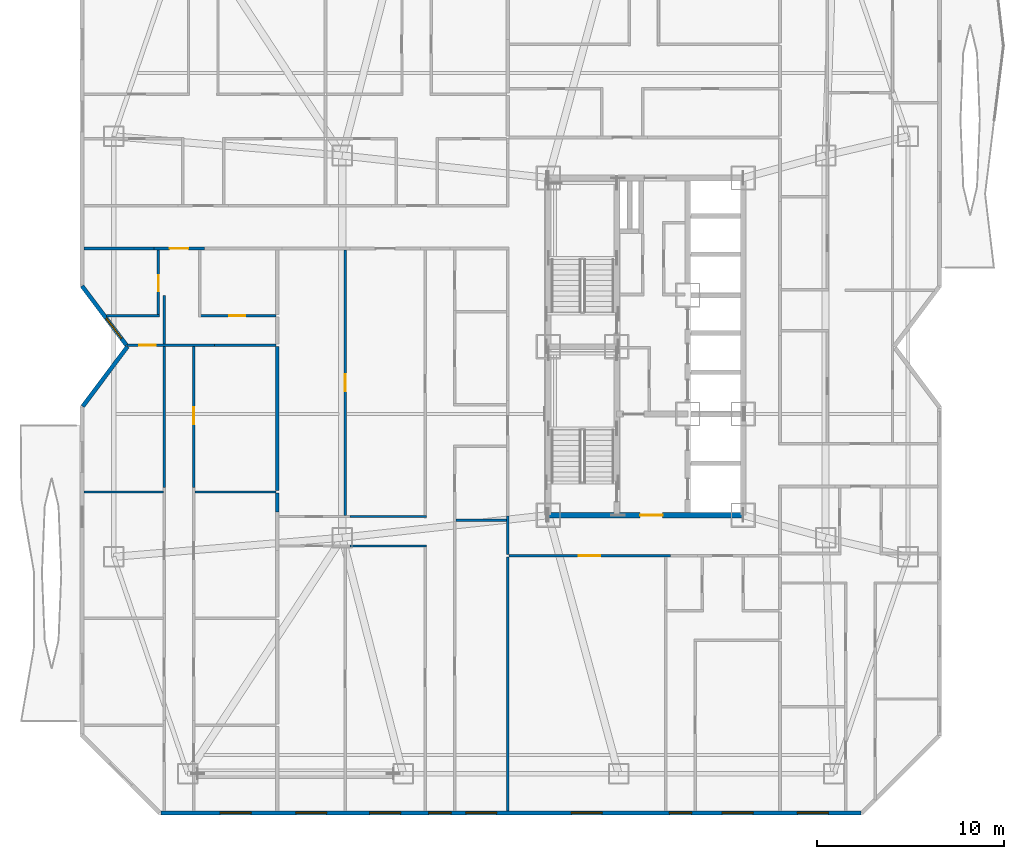
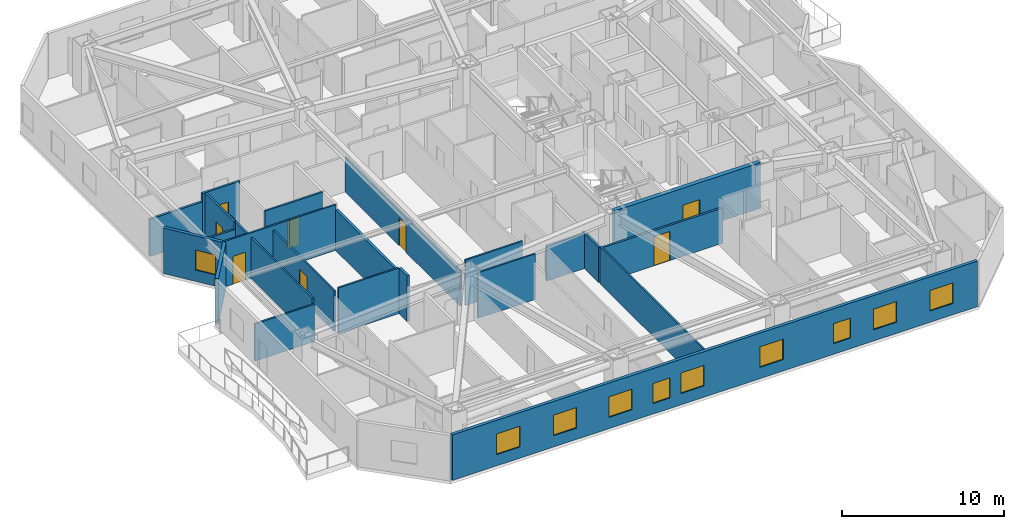
# One storey, part 8 of 16: 24 walls, 10 windows, 8 doors, 18 openings.
"""IFC4 building model written with IfcOpenShell, lengths in metres."""

from ifc_helpers import new_model, si_unit, direction, frame, frame_2d, origin, place, context, subcontext, project, spatial, rectangle, extrude, material, layer, layer_set, type_object, element, fill, save


model = new_model("IFC4")

# Units and contexts
model_context = context("Model", 3, precision=1e-05, world=origin(), true_north=direction((0.0, 1.0)))
body_context = subcontext(model_context, "Body", "Model", "MODEL_VIEW")
ifc_project = project(units=[si_unit("LENGTHUNIT", "METRE"), si_unit("AREAUNIT", "SQUARE_METRE"), si_unit("VOLUMEUNIT", "CUBIC_METRE"), si_unit("PLANEANGLEUNIT", "RADIAN"), si_unit("MASSUNIT", "GRAM", prefix="KILO")], contexts=[model_context])

# Site, building, storey
site_placement = place(None, origin())
site = spatial("IfcSite", under=ifc_project, at=site_placement, CompositionType="ELEMENT")
building_placement = place(site_placement, origin())
building = spatial("IfcBuilding", under=site, at=building_placement, Name="Khamvora Tower", CompositionType="ELEMENT")
storey_placement = place(building_placement, frame((0.0, 0.0, 66.14990234375)))
storey = spatial("IfcBuildingStorey", under=building, at=storey_placement, Name="L16", CompositionType="ELEMENT", Elevation=66.14990234375)

# Wall, opening, door
ifc_material_1 = material(Name="Concrete C50/60", Category="concrete")
ifc_layer_1 = layer(ifc_material_1, 0.300048828125)
ifc_layer_set_1 = layer_set([ifc_layer_1], Name="Concrete C50/60")
wall_type_1 = type_object("IfcWallType", Name="WAL-CORE-300", PredefinedType="SHEAR", material=ifc_layer_set_1)
wall_1_placement = place(storey_placement, frame((29.0, 19.0, 0.0), z_axis=(0.0, 0.0, 1.0), x_axis=(1.0, 0.0, 0.0)))
wall_1 = element("IfcWall", 1, at=wall_1_placement, inside=storey, type_object=wall_type_1, Name="L16 central core south wall", PredefinedType="SHEAR", context=body_context, shape_type="SweptSolid", body=[
    extrude(rectangle(XDim=10.39990234375, YDim=0.300048828125, at=frame_2d((5.199951171875, 0.0))), origin(), (0.0, 0.0, 1.0), 3.43017578125),
])
opening_1_placement = place(wall_1_placement, frame((4.89990234375, 0.0, 0.0)))
opening_1 = element("IfcOpeningElement", 2, at=opening_1_placement, cuts=wall_1, Name="Opening D-CR1", PredefinedType="OPENING", context=body_context, shape_type="SweptSolid", body=[
    extrude(rectangle(XDim=1.199951171875, YDim=2.14990234375, at=frame_2d((0.60009765625, 1.074951171875))), frame((0.0, 0.159912109375, 0.0), z_axis=(0.0, -1.0, 0.0), x_axis=(1.0, 0.0, 0.0)), (0.0, 0.0, 1.0), 0.320068359375),
])
ifc_material_2 = material(Name="Powder-Coated Steel and Hardwood Leaf", Category="steel")
door_type_1 = type_object("IfcDoorType", Name="DOR-CORR-1200", OperationType="NOTDEFINED", PredefinedType="DOOR", material=ifc_material_2)
door_1_placement = place(opening_1_placement, origin())
door_1 = element("IfcDoor", 3, at=door_1_placement, inside=storey, type_object=door_type_1, Name="L16 south core lobby to corridor fire door", OperationType="SINGLE_SWING_RIGHT", OverallHeight=2.14990234375, OverallWidth=1.199951171875, PredefinedType="DOOR", context=body_context, shape_type="SweptSolid", body=[
    extrude(rectangle(XDim=1.199951171875, YDim=2.14990234375, at=frame_2d((0.60009765625, 1.074951171875))), frame((0.0, 0.02490234375, 0.0), z_axis=(0.0, -1.0, 0.0), x_axis=(1.0, 0.0, 0.0)), (0.0, 0.0, 1.0), 0.050048828125),
])
fill(opening_1, door_1)

ifc_material_3 = material(Name="Fire-Rated Drywall and Steel Stud", Category="steel")
ifc_layer_2 = layer(ifc_material_3, 0.14990234375)
ifc_layer_set_2 = layer_set([ifc_layer_2], Name="Fire-Rated Drywall and Steel Stud")
wall_type_2 = type_object("IfcWallType", Name="WAL-CORR-150", PredefinedType="STANDARD", material=ifc_layer_set_2)
wall_2_placement = place(storey_placement, frame((35.513916015625, 16.8349609375, 0.0), z_axis=(0.0, 0.0, 1.0), x_axis=(-1.0, 0.0, 0.0)))
wall_2 = element("IfcWall", 4, at=wall_2_placement, inside=storey, type_object=wall_type_2, Name="L16 interior partition wall 008", PredefinedType="STANDARD", context=body_context, shape_type="SweptSolid", body=[
    extrude(rectangle(XDim=8.614013671875, YDim=0.14990234375, at=frame_2d((4.30712890625, 0.0))), origin(), (0.0, 0.0, 1.0), 2.647216796875),
])
opening_2_placement = place(wall_2_placement, frame((3.7529296875, 0.0, 0.0)))
opening_2 = element("IfcOpeningElement", 5, at=opening_2_placement, cuts=wall_2, Name="Opening D-SC1", PredefinedType="OPENING", context=body_context, shape_type="SweptSolid", body=[
    extrude(rectangle(XDim=1.14990234375, YDim=2.199951171875, at=frame_2d((0.574951171875, 1.10009765625))), frame((0.0, 0.0849609375, 0.0), z_axis=(0.0, -1.0, 0.0), x_axis=(1.0, 0.0, 0.0)), (0.0, 0.0, 1.0), 0.169921875),
])
door_type_2 = type_object("IfcDoorType", Name="DOR-SCHL-1150", OperationType="NOTDEFINED", PredefinedType="DOOR", material=ifc_material_2)
door_2_placement = place(opening_2_placement, origin())
door_2 = element("IfcDoor", 6, at=door_2_placement, inside=storey, type_object=door_type_2, Name="L16 interior door COR-RCOW", OperationType="SINGLE_SWING_LEFT", OverallHeight=2.199951171875, OverallWidth=1.14990234375, PredefinedType="DOOR", context=body_context, shape_type="SweptSolid", body=[
    extrude(rectangle(XDim=1.14990234375, YDim=2.199951171875, at=frame_2d((0.574951171875, 1.10009765625))), frame((0.0, 0.02490234375, 0.0), z_axis=(0.0, -1.0, 0.0), x_axis=(1.0, 0.0, 0.0)), (0.0, 0.0, 1.0), 0.050048828125),
])
fill(opening_2, door_2)

wall_3_placement = place(storey_placement, frame((10.637939453125, 33.235107421875, 0.0), z_axis=(0.0, 0.0, 1.0), x_axis=(-1.0, 0.0, 0.0)))
wall_3 = element("IfcWall", 7, at=wall_3_placement, inside=storey, type_object=wall_type_2, Name="L16 interior partition wall 009", PredefinedType="STANDARD", context=body_context, shape_type="SweptSolid", body=[
    extrude(rectangle(XDim=2.697998046875, YDim=0.14990234375, at=frame_2d((1.34912109375, 0.0))), origin(), (0.0, 0.0, 1.0), 3.43017578125),
])
opening_3_placement = place(wall_3_placement, frame((0.84912109375, 0.0, 0.0)))
opening_3 = element("IfcOpeningElement", 8, at=opening_3_placement, cuts=wall_3, Name="Opening D-U1", PredefinedType="OPENING", context=body_context, shape_type="SweptSolid", body=[
    extrude(rectangle(XDim=1.0, YDim=2.14990234375, at=frame_2d((0.5, 1.074951171875))), frame((0.0, 0.0849609375, 0.0), z_axis=(0.0, -1.0, 0.0), x_axis=(1.0, 0.0, 0.0)), (0.0, 0.0, 1.0), 0.169921875),
])
door_type_3 = type_object("IfcDoorType", Name="DOR-UNIT-1000", OperationType="NOTDEFINED", PredefinedType="DOOR", material=ifc_material_2)
door_3_placement = place(opening_3_placement, origin())
door_3 = element("IfcDoor", 9, at=door_3_placement, inside=storey, type_object=door_type_3, Name="L16 interior door COR-16WA1H", OperationType="SINGLE_SWING_RIGHT", OverallHeight=2.14990234375, OverallWidth=1.0, PredefinedType="DOOR", context=body_context, shape_type="SweptSolid", body=[
    extrude(rectangle(XDim=1.0, YDim=2.14990234375, at=frame_2d((0.5, 1.074951171875))), frame((0.0, 0.02490234375, 0.0), z_axis=(0.0, -1.0, 0.0), x_axis=(1.0, 0.0, 0.0)), (0.0, 0.0, 1.0), 0.050048828125),
])
fill(opening_3, door_3)

# Walls
wall_4_placement = place(storey_placement, frame((7.93994140625, 33.235107421875, 0.0), z_axis=(0.0, 0.0, 1.0), x_axis=(-1.0, 0.0, 0.0)))
element("IfcWall", 10, at=wall_4_placement, inside=storey, type_object=wall_type_2, Name="L16 interior partition wall 010", PredefinedType="STANDARD", context=body_context, shape_type="SweptSolid", body=[
    extrude(rectangle(XDim=3.72802734375, YDim=0.14990234375, at=frame_2d((1.864013671875, 0.0))), origin(), (0.0, 0.0, 1.0), 2.802978515625),
])
wall_5_placement = place(storey_placement, frame((26.8349609375, 16.89990234375, 0.0), z_axis=(0.0, 0.0, 1.0), x_axis=(0.0, 1.0, 0.0)))
element("IfcWall", 11, at=wall_5_placement, inside=storey, type_object=wall_type_2, Name="L16 interior partition wall 012", PredefinedType="STANDARD", context=body_context, shape_type="SweptSolid", body=[
    extrude(rectangle(XDim=2.068115234375, YDim=0.14990234375, at=frame_2d((1.0341796875, 0.0))), origin(), (0.0, 0.0, 1.0), 2.647216796875),
])
ifc_material_4 = material(Name="Acoustic Double-Stud Fire Wall", Category="gypsum")
ifc_layer_3 = layer(ifc_material_4, 0.179931640625)
ifc_layer_set_3 = layer_set([ifc_layer_3], Name="Acoustic Double-Stud Fire Wall")
wall_type_3 = type_object("IfcWallType", Name="WAL-CORR-180", PredefinedType="STANDARD", material=ifc_layer_set_3)
wall_6_placement = place(storey_placement, frame((14.533935546875, 20.175048828125, 0.0), z_axis=(0.0, 0.0, 1.0), x_axis=(0.0, -1.0, 0.0)))
element("IfcWall", 12, at=wall_6_placement, inside=storey, type_object=wall_type_3, Name="L16 interior partition wall 076", PredefinedType="STANDARD", context=body_context, shape_type="SweptSolid", body=[
    extrude(rectangle(XDim=1.0009765625, YDim=0.179931640625, at=frame_2d((0.50048828125, 0.0))), origin(), (0.0, 0.0, 1.0), 3.43017578125),
])
wall_7_placement = place(storey_placement, frame((14.533935546875, 28.010009765625, 0.0), z_axis=(0.0, 0.0, 1.0), x_axis=(0.0, -1.0, 0.0)))
element("IfcWall", 13, at=wall_7_placement, inside=storey, type_object=wall_type_3, Name="L16 interior partition wall 077", PredefinedType="STANDARD", context=body_context, shape_type="SweptSolid", body=[
    extrude(rectangle(XDim=7.705078125, YDim=0.179931640625, at=frame_2d((3.8525390625, 0.0))), origin(), (0.0, 0.0, 1.0), 3.065185546875),
])
ifc_material_5 = material(Name="Precast concrete C40/50", Category="concrete")
ifc_layer_4 = layer(ifc_material_5, 0.219970703125)
ifc_layer_set_4 = layer_set([ifc_layer_4], Name="Precast concrete C40/50")
wall_type_4 = type_object("IfcWallType", Name="WAL-EXT-220", PredefinedType="STANDARD", material=ifc_layer_set_4)
wall_8_placement = place(storey_placement, frame((4.14501953125, 24.80908203125, 0.0), z_axis=(0.0, 0.0, 1.0), x_axis=(0.599823674734, 0.800132213592, 0.0)))
element("IfcWall", 14, at=wall_8_placement, inside=storey, type_object=wall_type_4, Name="L16 exterior facade wall 03.1", PredefinedType="STANDARD", context=body_context, shape_type="SweptSolid", body=[
    extrude(rectangle(XDim=3.988037109375, YDim=0.219970703125, at=frame_2d((1.994140625, 0.0))), origin(), (0.0, 0.0, 1.0), 3.43017578125),
])

# Wall, opening, window
wall_9_placement = place(storey_placement, frame((6.47998046875, 28.076904296875, 0.0), z_axis=(0.0, 0.0, 1.0), x_axis=(-0.599960442794, 0.800029666377, 0.0)))
wall_9 = element("IfcWall", 15, at=wall_9_placement, inside=storey, type_object=wall_type_4, Name="L16 exterior facade wall 04.1", PredefinedType="STANDARD", context=body_context, shape_type="SweptSolid", body=[
    extrude(rectangle(XDim=3.949951171875, YDim=0.219970703125, at=frame_2d((1.97509765625, 0.0))), origin(), (0.0, 0.0, 1.0), 3.43017578125),
])
opening_4_placement = place(wall_9_placement, frame((0.445068359375, 0.0, 0.85009765625)))
opening_4 = element("IfcOpeningElement", 16, at=opening_4_placement, cuts=wall_9, Name="Opening WN-07", PredefinedType="OPENING", context=body_context, shape_type="SweptSolid", body=[
    extrude(rectangle(XDim=1.35009765625, YDim=1.5, at=frame_2d((0.675048828125, 0.75))), frame((0.0, 0.119873046875, 0.0), z_axis=(0.0, -1.0, 0.0), x_axis=(1.0, 0.0, 0.0)), (0.0, 0.0, 1.0), 0.239990234375),
])
ifc_material_6 = material(Name="Low-E Laminated Double Glazing", Category="glass")
window_type_1 = type_object("IfcWindowType", Name="WIN-VIS-1350x1500", PartitioningType="SINGLE_PANEL", PredefinedType="WINDOW", material=ifc_material_6)
window_1_placement = place(opening_4_placement, origin())
window_1 = element("IfcWindow", 17, at=window_1_placement, inside=storey, type_object=window_type_1, Name="L16 vision window 04.1.01", OverallHeight=1.5, OverallWidth=1.35009765625, PartitioningType="SINGLE_PANEL", PredefinedType="WINDOW", context=body_context, shape_type="SweptSolid", body=[
    extrude(rectangle(XDim=1.35009765625, YDim=1.5, at=frame_2d((0.675048828125, 0.75))), frame((0.0, 0.030029296875, 0.0), z_axis=(0.0, -1.0, 0.0), x_axis=(1.0, 0.0, 0.0)), (0.0, 0.0, 1.0), 0.06005859375),
])
fill(opening_4, window_1)

# Wall, openings, windows
wall_10_placement = place(storey_placement, frame((45.68310546875, 3.110107421875, 0.0), z_axis=(0.0, 0.0, 1.0), x_axis=(-1.0, 0.0, 0.0)))
wall_10 = element("IfcWall", 18, at=wall_10_placement, inside=storey, type_object=wall_type_4, Name="L16 exterior facade wall 14.1", PredefinedType="STANDARD", context=body_context, shape_type="SweptSolid", body=[
    extrude(rectangle(XDim=37.3681640625, YDim=0.219970703125, at=frame_2d((18.68408203125, 0.0))), origin(), (0.0, 0.0, 1.0), 3.43017578125),
])
opening_5_placement = place(wall_10_placement, frame((13.80810546875, 0.0, 0.85009765625)))
opening_5 = element("IfcOpeningElement", 19, at=opening_5_placement, cuts=wall_10, Name="Opening WN-06", PredefinedType="OPENING", context=body_context, shape_type="SweptSolid", body=[
    extrude(rectangle(XDim=1.64990234375, YDim=1.550048828125, at=frame_2d((0.824951171875, 0.77490234375))), frame((0.0, 0.119873046875, 0.0), z_axis=(0.0, -1.0, 0.0), x_axis=(1.0, 0.0, 0.0)), (0.0, 0.0, 1.0), 0.239990234375),
])
opening_6_placement = place(wall_10_placement, frame((32.553955078125, 0.0, 0.85009765625)))
opening_6 = element("IfcOpeningElement", 20, at=opening_6_placement, cuts=wall_10, Name="Opening WN-06", PredefinedType="OPENING", context=body_context, shape_type="SweptSolid", body=[
    extrude(rectangle(XDim=1.64990234375, YDim=1.550048828125, at=frame_2d((0.824951171875, 0.77490234375))), frame((0.0, 0.119873046875, 0.0), z_axis=(0.0, -1.0, 0.0), x_axis=(1.0, 0.0, 0.0)), (0.0, 0.0, 1.0), 0.239990234375),
])
opening_7_placement = place(wall_10_placement, frame((19.43798828125, 0.0, 0.85009765625)))
opening_7 = element("IfcOpeningElement", 21, at=opening_7_placement, cuts=wall_10, Name="Opening WN-06", PredefinedType="OPENING", context=body_context, shape_type="SweptSolid", body=[
    extrude(rectangle(XDim=1.64990234375, YDim=1.550048828125, at=frame_2d((0.824951171875, 0.77490234375))), frame((0.0, 0.119873046875, 0.0), z_axis=(0.0, -1.0, 0.0), x_axis=(1.0, 0.0, 0.0)), (0.0, 0.0, 1.0), 0.239990234375),
])
opening_8_placement = place(wall_10_placement, frame((21.868896484375, 0.0, 0.800048828125)))
opening_8 = element("IfcOpeningElement", 22, at=opening_8_placement, cuts=wall_10, Name="Opening WN-03", PredefinedType="OPENING", context=body_context, shape_type="SweptSolid", body=[
    extrude(rectangle(XDim=1.199951171875, YDim=1.5, at=frame_2d((0.60009765625, 0.75))), frame((0.0, 0.119873046875, 0.0), z_axis=(0.0, -1.0, 0.0), x_axis=(1.0, 0.0, 0.0)), (0.0, 0.0, 1.0), 0.239990234375),
])
opening_9_placement = place(wall_10_placement, frame((28.511962890625, 0.0, 0.85009765625)))
opening_9 = element("IfcOpeningElement", 23, at=opening_9_placement, cuts=wall_10, Name="Opening WN-06", PredefinedType="OPENING", context=body_context, shape_type="SweptSolid", body=[
    extrude(rectangle(XDim=1.64990234375, YDim=1.550048828125, at=frame_2d((0.824951171875, 0.77490234375))), frame((0.0, 0.119873046875, 0.0), z_axis=(0.0, -1.0, 0.0), x_axis=(1.0, 0.0, 0.0)), (0.0, 0.0, 1.0), 0.239990234375),
])
opening_10_placement = place(wall_10_placement, frame((24.56689453125, 0.0, 0.85009765625)))
opening_10 = element("IfcOpeningElement", 24, at=opening_10_placement, cuts=wall_10, Name="Opening WN-06", PredefinedType="OPENING", context=body_context, shape_type="SweptSolid", body=[
    extrude(rectangle(XDim=1.64990234375, YDim=1.550048828125, at=frame_2d((0.824951171875, 0.77490234375))), frame((0.0, 0.119873046875, 0.0), z_axis=(0.0, -1.0, 0.0), x_axis=(1.0, 0.0, 0.0)), (0.0, 0.0, 1.0), 0.239990234375),
])
opening_11_placement = place(wall_10_placement, frame((9.028076171875, 0.0, 0.800048828125)))
opening_11 = element("IfcOpeningElement", 25, at=opening_11_placement, cuts=wall_10, Name="Opening WN-03", PredefinedType="OPENING", context=body_context, shape_type="SweptSolid", body=[
    extrude(rectangle(XDim=1.199951171875, YDim=1.5, at=frame_2d((0.60009765625, 0.75))), frame((0.0, 0.119873046875, 0.0), z_axis=(0.0, -1.0, 0.0), x_axis=(1.0, 0.0, 0.0)), (0.0, 0.0, 1.0), 0.239990234375),
])
opening_12_placement = place(wall_10_placement, frame((5.7529296875, 0.0, 0.85009765625)))
opening_12 = element("IfcOpeningElement", 26, at=opening_12_placement, cuts=wall_10, Name="Opening WN-06", PredefinedType="OPENING", context=body_context, shape_type="SweptSolid", body=[
    extrude(rectangle(XDim=1.64990234375, YDim=1.550048828125, at=frame_2d((0.824951171875, 0.77490234375))), frame((0.0, 0.119873046875, 0.0), z_axis=(0.0, -1.0, 0.0), x_axis=(1.0, 0.0, 0.0)), (0.0, 0.0, 1.0), 0.239990234375),
])
opening_13_placement = place(wall_10_placement, frame((1.738037109375, 0.0, 0.85009765625)))
opening_13 = element("IfcOpeningElement", 27, at=opening_13_placement, cuts=wall_10, Name="Opening WN-06", PredefinedType="OPENING", context=body_context, shape_type="SweptSolid", body=[
    extrude(rectangle(XDim=1.64990234375, YDim=1.550048828125, at=frame_2d((0.824951171875, 0.77490234375))), frame((0.0, 0.119873046875, 0.0), z_axis=(0.0, -1.0, 0.0), x_axis=(1.0, 0.0, 0.0)), (0.0, 0.0, 1.0), 0.239990234375),
])
window_type_2 = type_object("IfcWindowType", Name="WIN-VIS-1200x1500", PartitioningType="SINGLE_PANEL", PredefinedType="WINDOW", material=ifc_material_6)
window_2_placement = place(opening_8_placement, origin())
window_2 = element("IfcWindow", 28, at=window_2_placement, inside=storey, type_object=window_type_2, Name="L16 vision window 14.1.04", OverallHeight=1.5, OverallWidth=1.199951171875, PartitioningType="SINGLE_PANEL", PredefinedType="WINDOW", context=body_context, shape_type="SweptSolid", body=[
    extrude(rectangle(XDim=1.199951171875, YDim=1.5, at=frame_2d((0.60009765625, 0.75))), frame((0.0, 0.030029296875, 0.0), z_axis=(0.0, -1.0, 0.0), x_axis=(1.0, 0.0, 0.0)), (0.0, 0.0, 1.0), 0.06005859375),
])
fill(opening_8, window_2)
window_3_placement = place(opening_11_placement, origin())
window_3 = element("IfcWindow", 29, at=window_3_placement, inside=storey, type_object=window_type_2, Name="L16 vision window 14.1.07", OverallHeight=1.5, OverallWidth=1.199951171875, PartitioningType="SINGLE_PANEL", PredefinedType="WINDOW", context=body_context, shape_type="SweptSolid", body=[
    extrude(rectangle(XDim=1.199951171875, YDim=1.5, at=frame_2d((0.60009765625, 0.75))), frame((0.0, 0.030029296875, 0.0), z_axis=(0.0, -1.0, 0.0), x_axis=(1.0, 0.0, 0.0)), (0.0, 0.0, 1.0), 0.06005859375),
])
fill(opening_11, window_3)
window_type_3 = type_object("IfcWindowType", Name="WIN-VIS-1650x1550", PartitioningType="SINGLE_PANEL", PredefinedType="WINDOW", material=ifc_material_6)
window_4_placement = place(opening_5_placement, origin())
window_4 = element("IfcWindow", 30, at=window_4_placement, inside=storey, type_object=window_type_3, Name="L16 vision window 14.1.01", OverallHeight=1.550048828125, OverallWidth=1.64990234375, PartitioningType="SINGLE_PANEL", PredefinedType="WINDOW", context=body_context, shape_type="SweptSolid", body=[
    extrude(rectangle(XDim=1.64990234375, YDim=1.550048828125, at=frame_2d((0.824951171875, 0.77490234375))), frame((0.0, 0.030029296875, 0.0), z_axis=(0.0, -1.0, 0.0), x_axis=(1.0, 0.0, 0.0)), (0.0, 0.0, 1.0), 0.06005859375),
])
fill(opening_5, window_4)
window_5_placement = place(opening_6_placement, origin())
window_5 = element("IfcWindow", 31, at=window_5_placement, inside=storey, type_object=window_type_3, Name="L16 vision window 14.1.02", OverallHeight=1.550048828125, OverallWidth=1.64990234375, PartitioningType="SINGLE_PANEL", PredefinedType="WINDOW", context=body_context, shape_type="SweptSolid", body=[
    extrude(rectangle(XDim=1.64990234375, YDim=1.550048828125, at=frame_2d((0.824951171875, 0.77490234375))), frame((0.0, 0.030029296875, 0.0), z_axis=(0.0, -1.0, 0.0), x_axis=(1.0, 0.0, 0.0)), (0.0, 0.0, 1.0), 0.06005859375),
])
fill(opening_6, window_5)
window_6_placement = place(opening_7_placement, origin())
window_6 = element("IfcWindow", 32, at=window_6_placement, inside=storey, type_object=window_type_3, Name="L16 vision window 14.1.03", OverallHeight=1.550048828125, OverallWidth=1.64990234375, PartitioningType="SINGLE_PANEL", PredefinedType="WINDOW", context=body_context, shape_type="SweptSolid", body=[
    extrude(rectangle(XDim=1.64990234375, YDim=1.550048828125, at=frame_2d((0.824951171875, 0.77490234375))), frame((0.0, 0.030029296875, 0.0), z_axis=(0.0, -1.0, 0.0), x_axis=(1.0, 0.0, 0.0)), (0.0, 0.0, 1.0), 0.06005859375),
])
fill(opening_7, window_6)
window_7_placement = place(opening_9_placement, origin())
window_7 = element("IfcWindow", 33, at=window_7_placement, inside=storey, type_object=window_type_3, Name="L16 vision window 14.1.05", OverallHeight=1.550048828125, OverallWidth=1.64990234375, PartitioningType="SINGLE_PANEL", PredefinedType="WINDOW", context=body_context, shape_type="SweptSolid", body=[
    extrude(rectangle(XDim=1.64990234375, YDim=1.550048828125, at=frame_2d((0.824951171875, 0.77490234375))), frame((0.0, 0.030029296875, 0.0), z_axis=(0.0, -1.0, 0.0), x_axis=(1.0, 0.0, 0.0)), (0.0, 0.0, 1.0), 0.06005859375),
])
fill(opening_9, window_7)
window_8_placement = place(opening_10_placement, origin())
window_8 = element("IfcWindow", 34, at=window_8_placement, inside=storey, type_object=window_type_3, Name="L16 vision window 14.1.06", OverallHeight=1.550048828125, OverallWidth=1.64990234375, PartitioningType="SINGLE_PANEL", PredefinedType="WINDOW", context=body_context, shape_type="SweptSolid", body=[
    extrude(rectangle(XDim=1.64990234375, YDim=1.550048828125, at=frame_2d((0.824951171875, 0.77490234375))), frame((0.0, 0.030029296875, 0.0), z_axis=(0.0, -1.0, 0.0), x_axis=(1.0, 0.0, 0.0)), (0.0, 0.0, 1.0), 0.06005859375),
])
fill(opening_10, window_8)
window_9_placement = place(opening_12_placement, origin())
window_9 = element("IfcWindow", 35, at=window_9_placement, inside=storey, type_object=window_type_3, Name="L16 vision window 14.1.08", OverallHeight=1.550048828125, OverallWidth=1.64990234375, PartitioningType="SINGLE_PANEL", PredefinedType="WINDOW", context=body_context, shape_type="SweptSolid", body=[
    extrude(rectangle(XDim=1.64990234375, YDim=1.550048828125, at=frame_2d((0.824951171875, 0.77490234375))), frame((0.0, 0.030029296875, 0.0), z_axis=(0.0, -1.0, 0.0), x_axis=(1.0, 0.0, 0.0)), (0.0, 0.0, 1.0), 0.06005859375),
])
fill(opening_12, window_9)
window_10_placement = place(opening_13_placement, origin())
window_10 = element("IfcWindow", 36, at=window_10_placement, inside=storey, type_object=window_type_3, Name="L16 vision window 14.1.09", OverallHeight=1.550048828125, OverallWidth=1.64990234375, PartitioningType="SINGLE_PANEL", PredefinedType="WINDOW", context=body_context, shape_type="SweptSolid", body=[
    extrude(rectangle(XDim=1.64990234375, YDim=1.550048828125, at=frame_2d((0.824951171875, 0.77490234375))), frame((0.0, 0.030029296875, 0.0), z_axis=(0.0, -1.0, 0.0), x_axis=(1.0, 0.0, 0.0)), (0.0, 0.0, 1.0), 0.06005859375),
])
fill(opening_13, window_10)

# Walls
ifc_material_7 = material(Name="Gypsum Plasterboard Partition", Category="gypsum")
ifc_layer_5 = layer(ifc_material_7, 0.1201171875)
ifc_layer_set_5 = layer_set([ifc_layer_5], Name="Gypsum Plasterboard Partition")
wall_type_5 = type_object("IfcWallType", Name="WAL-PART-120", PredefinedType="PARTITIONING", material=ifc_layer_set_5)
wall_11_placement = place(storey_placement, frame((26.8349609375, 3.2119140625, 0.0), z_axis=(0.0, 0.0, 1.0), x_axis=(0.0, 1.0, 0.0)))
element("IfcWall", 37, at=wall_11_placement, inside=storey, type_object=wall_type_5, Name="L16 interior partition wall 047", PredefinedType="PARTITIONING", context=body_context, shape_type="SweptSolid", body=[
    extrude(rectangle(XDim=13.55810546875, YDim=0.1201171875, at=frame_2d((6.779052734375, 0.0))), origin(), (0.0, 0.0, 1.0), 2.802978515625),
])
wall_12_placement = place(storey_placement, frame((8.50390625, 20.489990234375, 0.0), z_axis=(0.0, 0.0, 1.0), x_axis=(0.0, 1.0, 0.0)))
element("IfcWall", 38, at=wall_12_placement, inside=storey, type_object=wall_type_5, Name="L16 interior partition wall 057", PredefinedType="PARTITIONING", context=body_context, shape_type="SweptSolid", body=[
    extrude(rectangle(XDim=10.25, YDim=0.1201171875, at=frame_2d((5.125, 0.0))), origin(), (0.0, 0.0, 1.0), 3.065185546875),
])

# Wall, opening, door
wall_13_placement = place(storey_placement, frame((11.1689453125, 28.074951171875, 0.0), z_axis=(0.0, 0.0, 1.0), x_axis=(-1.0, 0.0, 0.0)))
wall_13 = element("IfcWall", 39, at=wall_13_placement, inside=storey, type_object=wall_type_5, Name="L16 interior partition wall 058", PredefinedType="PARTITIONING", context=body_context, shape_type="SweptSolid", body=[
    extrude(rectangle(XDim=4.6728515625, YDim=0.1201171875, at=frame_2d((2.33642578125, 0.0))), origin(), (0.0, 0.0, 1.0), 3.43017578125),
])
opening_14_placement = place(wall_13_placement, frame((3.114990234375, 0.0, 0.0)))
opening_14 = element("IfcOpeningElement", 40, at=opening_14_placement, cuts=wall_13, Name="Opening D-RM1", PredefinedType="OPENING", context=body_context, shape_type="SweptSolid", body=[
    extrude(rectangle(XDim=0.89990234375, YDim=2.10009765625, at=frame_2d((0.449951171875, 1.050048828125))), frame((0.0, 0.070068359375, 0.0), z_axis=(0.0, -1.0, 0.0), x_axis=(1.0, 0.0, 0.0)), (0.0, 0.0, 1.0), 0.14013671875),
])
door_type_4 = type_object("IfcDoorType", Name="DOR-ROOM-900", OperationType="NOTDEFINED", PredefinedType="DOOR", material=ifc_material_2)
door_4_placement = place(opening_14_placement, origin())
door_4 = element("IfcDoor", 41, at=door_4_placement, inside=storey, type_object=door_type_4, Name="L16 interior door 16WA1H-16WA1R4", OperationType="SINGLE_SWING_RIGHT", OverallHeight=2.10009765625, OverallWidth=0.89990234375, PredefinedType="DOOR", context=body_context, shape_type="SweptSolid", body=[
    extrude(rectangle(XDim=0.89990234375, YDim=2.10009765625, at=frame_2d((0.449951171875, 1.050048828125))), frame((0.0, 0.02490234375, 0.0), z_axis=(0.0, -1.0, 0.0), x_axis=(1.0, 0.0, 0.0)), (0.0, 0.0, 1.0), 0.050048828125),
])
fill(opening_14, door_4)

# Wall
wall_14_placement = place(storey_placement, frame((14.468994140625, 28.074951171875, 0.0), z_axis=(0.0, 0.0, 1.0), x_axis=(-1.0, 0.0, 0.0)))
element("IfcWall", 42, at=wall_14_placement, inside=storey, type_object=wall_type_5, Name="L16 interior partition wall 062", PredefinedType="PARTITIONING", context=body_context, shape_type="SweptSolid", body=[
    extrude(rectangle(XDim=3.300048828125, YDim=0.1201171875, at=frame_2d((1.64990234375, 0.0))), origin(), (0.0, 0.0, 1.0), 3.43017578125),
])

# Wall, opening, door
wall_15_placement = place(storey_placement, frame((10.073974609375, 28.139892578125, 0.0), z_axis=(0.0, 0.0, 1.0), x_axis=(0.0, -1.0, 0.0)))
wall_15 = element("IfcWall", 43, at=wall_15_placement, inside=storey, type_object=wall_type_5, Name="L16 interior partition wall 063", PredefinedType="PARTITIONING", context=body_context, shape_type="SweptSolid", body=[
    extrude(rectangle(XDim=7.64990234375, YDim=0.1201171875, at=frame_2d((3.824951171875, 0.0))), origin(), (0.0, 0.0, 1.0), 3.065185546875),
])
opening_15_placement = place(wall_15_placement, frame((3.375, 0.0, 0.0)))
opening_15 = element("IfcOpeningElement", 44, at=opening_15_placement, cuts=wall_15, Name="Opening D-RM1", PredefinedType="OPENING", context=body_context, shape_type="SweptSolid", body=[
    extrude(rectangle(XDim=0.89990234375, YDim=2.10009765625, at=frame_2d((0.449951171875, 1.050048828125))), frame((0.0, 0.070068359375, 0.0), z_axis=(0.0, -1.0, 0.0), x_axis=(1.0, 0.0, 0.0)), (0.0, 0.0, 1.0), 0.14013671875),
])
door_5_placement = place(opening_15_placement, origin())
door_5 = element("IfcDoor", 45, at=door_5_placement, inside=storey, type_object=door_type_4, Name="L16 interior door 16WA1H-16WA1R8", OperationType="SINGLE_SWING_LEFT", OverallHeight=2.10009765625, OverallWidth=0.89990234375, PredefinedType="DOOR", context=body_context, shape_type="SweptSolid", body=[
    extrude(rectangle(XDim=0.89990234375, YDim=2.10009765625, at=frame_2d((0.449951171875, 1.050048828125))), frame((0.0, 0.02490234375, 0.0), z_axis=(0.0, -1.0, 0.0), x_axis=(1.0, 0.0, 0.0)), (0.0, 0.0, 1.0), 0.050048828125),
])
fill(opening_15, door_5)

# Walls
wall_16_placement = place(storey_placement, frame((4.2119140625, 20.239990234375, 0.0), z_axis=(0.0, 0.0, 1.0), x_axis=(1.0, 0.0, 0.0)))
element("IfcWall", 46, at=wall_16_placement, inside=storey, type_object=wall_type_5, Name="L16 interior partition wall 068", PredefinedType="PARTITIONING", context=body_context, shape_type="SweptSolid", body=[
    extrude(rectangle(XDim=4.238037109375, YDim=0.1201171875, at=frame_2d((2.119140625, 0.0))), origin(), (0.0, 0.0, 1.0), 2.802978515625),
])
wall_17_placement = place(storey_placement, frame((10.1279296875, 20.239990234375, 0.0), z_axis=(0.0, 0.0, 1.0), x_axis=(1.0, 0.0, 0.0)))
element("IfcWall", 47, at=wall_17_placement, inside=storey, type_object=wall_type_5, Name="L16 interior partition wall 073", PredefinedType="PARTITIONING", context=body_context, shape_type="SweptSolid", body=[
    extrude(rectangle(XDim=4.341064453125, YDim=0.1201171875, at=frame_2d((2.17041015625, 0.0))), origin(), (0.0, 0.0, 1.0), 3.43017578125),
])
for number, where, z_axis, x_axis, name in (
    (48, (22.489013671875, 17.35498046875, 0.0), (0.0, 0.0, 1.0), (-1.0, 0.0, 0.0), "L16 interior partition wall 088"),
    (49, (18.406982421875, 18.925048828125, 0.0), (0.0, 0.0, 1.0), (1.0, 0.0, 0.0), "L16 interior partition wall 090"),
):
    element("IfcWall", number, at=place(storey_placement, frame(where, z_axis=z_axis, x_axis=x_axis)), inside=storey, type_object=wall_type_5, Name=name, PredefinedType="PARTITIONING", context=body_context, shape_type="SweptSolid", body=[
        extrude(rectangle(XDim=4.08203125, YDim=0.1201171875, at=frame_2d((2.041015625, 0.0))), origin(), (0.0, 0.0, 1.0), 3.43017578125),
    ])

# Wall, opening, door
wall_18_placement = place(storey_placement, frame((18.157958984375, 33.16796875, 0.0), z_axis=(0.0, 0.0, 1.0), x_axis=(0.0, -1.0, 0.0)))
wall_18 = element("IfcWall", 50, at=wall_18_placement, inside=storey, type_object=wall_type_5, Name="L16 interior partition wall 093", PredefinedType="PARTITIONING", context=body_context, shape_type="SweptSolid", body=[
    extrude(rectangle(XDim=14.18896484375, YDim=0.1201171875, at=frame_2d((7.094482421875, 0.0))), origin(), (0.0, 0.0, 1.0), 2.647216796875),
])
opening_16_placement = place(wall_18_placement, frame((6.64404296875, 0.0, 0.0)))
opening_16 = element("IfcOpeningElement", 51, at=opening_16_placement, cuts=wall_18, Name="Opening D-RM1", PredefinedType="OPENING", context=body_context, shape_type="SweptSolid", body=[
    extrude(rectangle(XDim=0.89990234375, YDim=2.10009765625, at=frame_2d((0.449951171875, 1.050048828125))), frame((0.0, 0.070068359375, 0.0), z_axis=(0.0, -1.0, 0.0), x_axis=(1.0, 0.0, 0.0)), (0.0, 0.0, 1.0), 0.14013671875),
])
door_6_placement = place(opening_16_placement, origin())
door_6 = element("IfcDoor", 52, at=door_6_placement, inside=storey, type_object=door_type_4, Name="L16 interior door 16WA2R3-16WA2R4", OperationType="SINGLE_SWING_LEFT", OverallHeight=2.10009765625, OverallWidth=0.89990234375, PredefinedType="DOOR", context=body_context, shape_type="SweptSolid", body=[
    extrude(rectangle(XDim=0.89990234375, YDim=2.10009765625, at=frame_2d((0.449951171875, 1.050048828125))), frame((0.0, 0.02490234375, 0.0), z_axis=(0.0, -1.0, 0.0), x_axis=(1.0, 0.0, 0.0)), (0.0, 0.0, 1.0), 0.050048828125),
])
fill(opening_16, door_6)

# Wall
ifc_material_8 = material(Name="Moisture-Resistant Plasterboard Partition", Category="gypsum")
ifc_layer_6 = layer(ifc_material_8, 0.135009765625)
ifc_layer_set_6 = layer_set([ifc_layer_6], Name="Moisture-Resistant Plasterboard Partition")
wall_type_6 = type_object("IfcWallType", Name="WAL-WET-135", PredefinedType="PARTITIONING", material=ifc_layer_set_6)
wall_19_placement = place(storey_placement, frame((5.407958984375, 29.655029296875, 0.0), z_axis=(0.0, 0.0, 1.0), x_axis=(1.0, 0.0, 0.0)))
element("IfcWall", 53, at=wall_19_placement, inside=storey, type_object=wall_type_6, Name="L16 interior partition wall 050", PredefinedType="PARTITIONING", context=body_context, shape_type="SweptSolid", body=[
    extrude(rectangle(XDim=2.845947265625, YDim=0.135009765625, at=frame_2d((1.4228515625, 0.0))), origin(), (0.0, 0.0, 1.0), 2.802978515625),
])

# Wall, opening, door
wall_20_placement = place(storey_placement, frame((8.18896484375, 29.590087890625, 0.0), z_axis=(0.0, 0.0, 1.0), x_axis=(0.0, 1.0, 0.0)))
wall_20 = element("IfcWall", 54, at=wall_20_placement, inside=storey, type_object=wall_type_6, Name="L16 interior partition wall 051", PredefinedType="PARTITIONING", context=body_context, shape_type="SweptSolid", body=[
    extrude(rectangle(XDim=3.577880859375, YDim=0.135009765625, at=frame_2d((1.7890625, 0.0))), origin(), (0.0, 0.0, 1.0), 3.43017578125),
])
opening_17_placement = place(wall_20_placement, frame((1.364013671875, 0.0, 0.0)))
opening_17 = element("IfcOpeningElement", 55, at=opening_17_placement, cuts=wall_20, Name="Opening D-WC1", PredefinedType="OPENING", context=body_context, shape_type="SweptSolid", body=[
    extrude(rectangle(XDim=0.85009765625, YDim=2.10009765625, at=frame_2d((0.425048828125, 1.050048828125))), frame((0.0, 0.077392578125, 0.0), z_axis=(0.0, -1.0, 0.0), x_axis=(1.0, 0.0, 0.0)), (0.0, 0.0, 1.0), 0.155029296875),
])
door_type_5 = type_object("IfcDoorType", Name="DOR-WET-850", OperationType="NOTDEFINED", PredefinedType="DOOR", material=ifc_material_2)
door_7_placement = place(opening_17_placement, origin())
door_7 = element("IfcDoor", 56, at=door_7_placement, inside=storey, type_object=door_type_5, Name="L16 interior door 16WA1H-16WA1B", OperationType="SINGLE_SWING_LEFT", OverallHeight=2.10009765625, OverallWidth=0.85009765625, PredefinedType="DOOR", context=body_context, shape_type="SweptSolid", body=[
    extrude(rectangle(XDim=0.85009765625, YDim=2.10009765625, at=frame_2d((0.425048828125, 1.050048828125))), frame((0.0, 0.02490234375, 0.0), z_axis=(0.0, -1.0, 0.0), x_axis=(1.0, 0.0, 0.0)), (0.0, 0.0, 1.0), 0.050048828125),
])
fill(opening_17, door_7)

wall_21_placement = place(storey_placement, frame((10.323974609375, 29.655029296875, 0.0), z_axis=(0.0, 0.0, 1.0), x_axis=(1.0, 0.0, 0.0)))
wall_21 = element("IfcWall", 57, at=wall_21_placement, inside=storey, type_object=wall_type_6, Name="L16 interior partition wall 053", PredefinedType="PARTITIONING", context=body_context, shape_type="SweptSolid", body=[
    extrude(rectangle(XDim=4.14501953125, YDim=0.135009765625, at=frame_2d((2.072509765625, 0.0))), origin(), (0.0, 0.0, 1.0), 3.43017578125),
])
opening_18_placement = place(wall_21_placement, frame((1.64697265625, 0.0, 0.0)))
opening_18 = element("IfcOpeningElement", 58, at=opening_18_placement, cuts=wall_21, Name="Opening D-RM2", PredefinedType="OPENING", context=body_context, shape_type="SweptSolid", body=[
    extrude(rectangle(XDim=0.85009765625, YDim=2.10009765625, at=frame_2d((0.425048828125, 1.050048828125))), frame((0.0, 0.077392578125, 0.0), z_axis=(0.0, -1.0, 0.0), x_axis=(1.0, 0.0, 0.0)), (0.0, 0.0, 1.0), 0.155029296875),
])
door_type_6 = type_object("IfcDoorType", Name="DOR-ROOM-850", OperationType="NOTDEFINED", PredefinedType="DOOR", material=ifc_material_2)
door_8_placement = place(opening_18_placement, origin())
door_8 = element("IfcDoor", 59, at=door_8_placement, inside=storey, type_object=door_type_6, Name="L16 interior door 16WA1H-16WA1K", OperationType="SINGLE_SWING_RIGHT", OverallHeight=2.10009765625, OverallWidth=0.85009765625, PredefinedType="DOOR", context=body_context, shape_type="SweptSolid", body=[
    extrude(rectangle(XDim=0.85009765625, YDim=2.10009765625, at=frame_2d((0.425048828125, 1.050048828125))), frame((0.0, 0.02490234375, 0.0), z_axis=(0.0, -1.0, 0.0), x_axis=(1.0, 0.0, 0.0)), (0.0, 0.0, 1.0), 0.050048828125),
])
fill(opening_18, door_8)

# Wall
wall_22_placement = place(storey_placement, frame((24.069091796875, 18.718994140625, 0.0), z_axis=(0.0, 0.0, 1.0), x_axis=(1.0, 0.0, 0.0)))
element("IfcWall", 60, at=wall_22_placement, inside=storey, type_object=wall_type_6, Name="L16 interior partition wall 079", PredefinedType="PARTITIONING", context=body_context, shape_type="SweptSolid", body=[
    extrude(rectangle(XDim=2.700927734375, YDim=0.135009765625, at=frame_2d((1.3505859375, 0.0))), origin(), (0.0, 0.0, 1.0), 2.647216796875),
])

save(model, "model.ifc")
